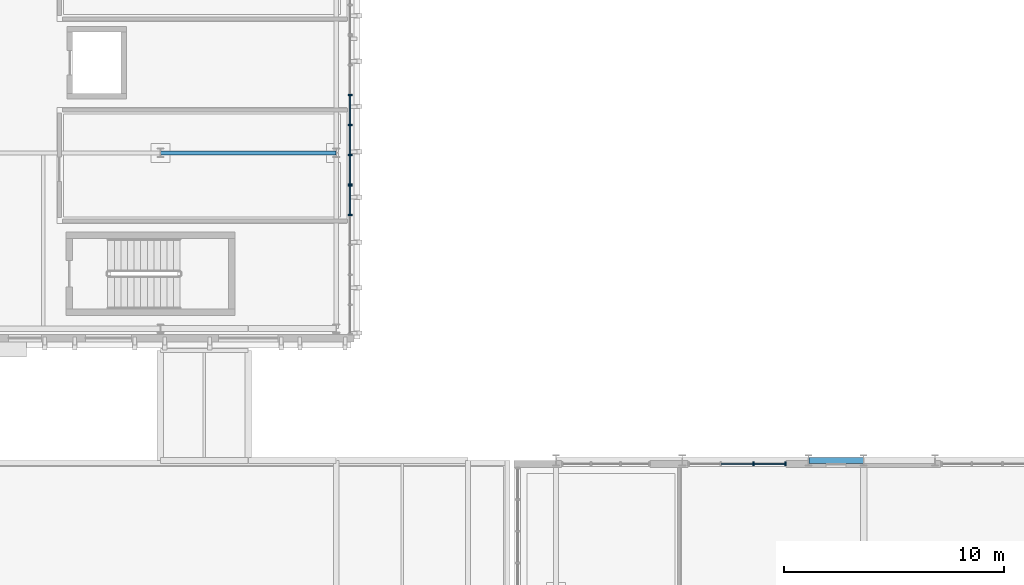
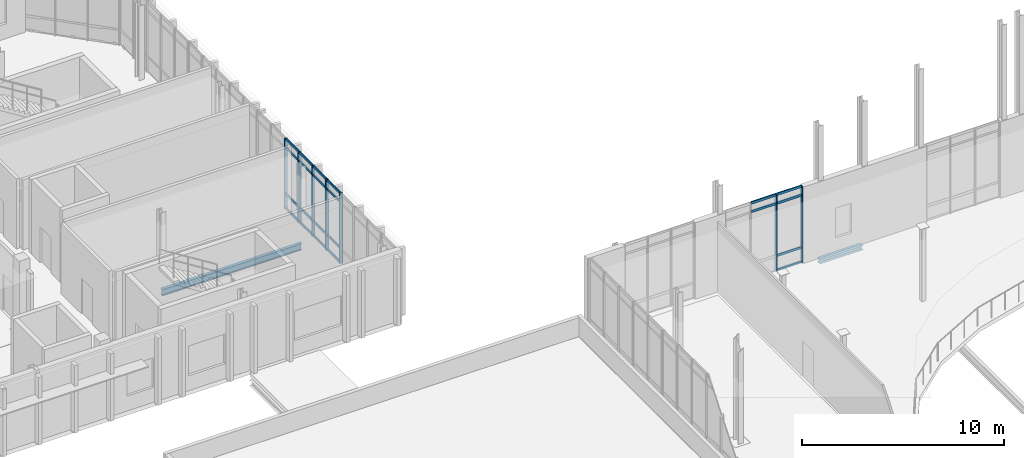
# One storey, part 20 of 86: 30 members, 2 beams, 3 elements without a shape of their own.
"""IFC4 building model written with IfcOpenShell, lengths in metres."""

from ifc_helpers import new_model, si_unit, direction, frame, origin, origin_2d, place, context, subcontext, project, spatial, rectangle, i_section, extrude, material, material_profile, profile_set, type_object, element, aggregate, save


model = new_model("IFC4")

# Units and contexts
model_context = context("Model", 3, precision=1e-05, world=origin(), true_north=direction((0.0, 1.0)))
body_context = subcontext(model_context, "Body", "Model", "MODEL_VIEW")
ifc_project = project(units=[si_unit("LENGTHUNIT", "METRE"), si_unit("AREAUNIT", "SQUARE_METRE"), si_unit("VOLUMEUNIT", "CUBIC_METRE"), si_unit("PLANEANGLEUNIT", "RADIAN"), si_unit("MASSUNIT", "GRAM", prefix="KILO")], contexts=[model_context])

# Site, building, storey
site_placement = place(None, origin())
site = spatial("IfcSite", under=ifc_project, at=site_placement, CompositionType="ELEMENT")
building_placement = place(site_placement, origin())
building = spatial("IfcBuilding", under=site, at=building_placement, Name="Cymarion Research Institute", CompositionType="ELEMENT")
storey_placement = place(building_placement, frame((0.0, 0.0, 13.800048828125)))
storey = spatial("IfcBuildingStorey", under=building, at=storey_placement, Name="L03", CompositionType="ELEMENT", Elevation=13.800048828125)

# Curtain wall, members
ifc_material_1 = material(Name="Anodised aluminium unitised curtain wall with Low-E glazing", Category="aluminium")
curtain_wall_type_1 = type_object("IfcCurtainWallType", Name="UNITISED CURTAIN WALL CW32 4460X4620", PredefinedType="NOTDEFINED", material=ifc_material_1)
curtain_wall_1_placement = place(storey_placement, origin())
curtain_wall_1 = element("IfcCurtainWall", 1, at=curtain_wall_1_placement, inside=storey, type_object=curtain_wall_type_1, Name="L03 V2 unitised curtain wall CW32 #145", PredefinedType="NOTDEFINED")
ifc_material_2 = material(Name="Anodised aluminium framing", Category="aluminium")
ifc_material_profile_1 = material_profile(ifc_material_2, rectangle(XDim=0.06005859375, YDim=0.179931640625, at=origin_2d()), Name="ALU MULLION 60x180")
ifc_profile_set_1 = profile_set([ifc_material_profile_1], Name="Anodised aluminium framing")
member_type_1 = type_object("IfcMemberType", Name="CURTAIN WALL MULLION ML01 60X180", PredefinedType="MULLION", material=ifc_profile_set_1)
member_1_placement = place(storey_placement, frame((67.04443359375, 41.340087890625, 0.0), z_axis=(0.0, 0.0, 1.0), x_axis=(-1.0, 0.0, 0.0)))
member_1 = element("IfcMember", 2, at=member_1_placement, type_object=member_type_1, Name="CW32 mullion 1", PredefinedType="MULLION", context=body_context, shape_type="SweptSolid", body=[
    extrude(rectangle(XDim=0.06005859375, YDim=0.179931640625, at=origin_2d()), origin(), (0.0, 0.0, 1.0), 4.619873046875),
])
member_2_placement = place(storey_placement, frame((65.58642578125, 41.340087890625, 0.0), z_axis=(0.0, 0.0, 1.0), x_axis=(-1.0, 0.0, 0.0)))
member_2 = element("IfcMember", 3, at=member_2_placement, type_object=member_type_1, Name="CW32 mullion 2", PredefinedType="MULLION", context=body_context, shape_type="SweptSolid", body=[
    extrude(rectangle(XDim=0.06005859375, YDim=0.179931640625, at=origin_2d()), origin(), (0.0, 0.0, 1.0), 4.619873046875),
])

curtain_wall_type_2 = type_object("IfcCurtainWallType", Name="UNITISED CURTAIN WALL CW20 6820X4250", PredefinedType="NOTDEFINED", material=ifc_material_1)
curtain_wall_2_placement = place(storey_placement, origin())
curtain_wall_2 = element("IfcCurtainWall", 4, at=curtain_wall_2_placement, inside=storey, type_object=curtain_wall_type_2, Name="L03 V4 unitised curtain wall CW20 #152", PredefinedType="NOTDEFINED")
member_3_placement = place(storey_placement, frame((47.22998046875, 52.677490234375, 0.0), z_axis=(0.0, 0.0, 1.0), x_axis=(0.0, 1.0, 0.0)))
member_3 = element("IfcMember", 5, at=member_3_placement, type_object=member_type_1, Name="CW20 mullion 5", PredefinedType="MULLION", context=body_context, shape_type="SweptSolid", body=[
    extrude(rectangle(XDim=0.06005859375, YDim=0.179931640625, at=origin_2d()), origin(), (0.0, 0.0, 1.0), 4.25),
])
member_4_placement = place(storey_placement, frame((47.22998046875, 54.011474609375, 0.0), z_axis=(0.0, 0.0, 1.0), x_axis=(0.0, 1.0, 0.0)))
member_4 = element("IfcMember", 6, at=member_4_placement, type_object=member_type_1, Name="CW20 mullion 6", PredefinedType="MULLION", context=body_context, shape_type="SweptSolid", body=[
    extrude(rectangle(XDim=0.06005859375, YDim=0.179931640625, at=origin_2d()), origin(), (0.0, 0.0, 1.0), 4.25),
])

curtain_wall_3_placement = place(storey_placement, origin())
curtain_wall_3 = element("IfcCurtainWall", 7, at=curtain_wall_3_placement, inside=storey, type_object=curtain_wall_type_2, Name="L03 V4 unitised curtain wall CW20 #153", PredefinedType="NOTDEFINED")
member_5_placement = place(storey_placement, frame((47.22998046875, 54.071533203125, 0.0), z_axis=(0.0, 0.0, 1.0), x_axis=(0.0, 1.0, 0.0)))
member_5 = element("IfcMember", 8, at=member_5_placement, type_object=member_type_1, Name="CW20 mullion 1", PredefinedType="MULLION", context=body_context, shape_type="SweptSolid", body=[
    extrude(rectangle(XDim=0.06005859375, YDim=0.179931640625, at=origin_2d()), origin(), (0.0, 0.0, 1.0), 4.25),
])
member_6_placement = place(storey_placement, frame((47.22998046875, 55.405517578125, 0.0), z_axis=(0.0, 0.0, 1.0), x_axis=(0.0, 1.0, 0.0)))
member_6 = element("IfcMember", 9, at=member_6_placement, type_object=member_type_1, Name="CW20 mullion 2", PredefinedType="MULLION", context=body_context, shape_type="SweptSolid", body=[
    extrude(rectangle(XDim=0.06005859375, YDim=0.179931640625, at=origin_2d()), origin(), (0.0, 0.0, 1.0), 4.25),
])
member_7_placement = place(storey_placement, frame((47.22998046875, 56.769287109375, 0.0), z_axis=(0.0, 0.0, 1.0), x_axis=(0.0, 1.0, 0.0)))
member_7 = element("IfcMember", 10, at=member_7_placement, type_object=member_type_1, Name="CW20 mullion 3", PredefinedType="MULLION", context=body_context, shape_type="SweptSolid", body=[
    extrude(rectangle(XDim=0.06005859375, YDim=0.179931640625, at=origin_2d()), origin(), (0.0, 0.0, 1.0), 4.25),
])
member_8_placement = place(storey_placement, frame((47.22998046875, 58.13330078125, 0.0), z_axis=(0.0, 0.0, 1.0), x_axis=(0.0, 1.0, 0.0)))
member_8 = element("IfcMember", 11, at=member_8_placement, type_object=member_type_1, Name="CW20 mullion 4", PredefinedType="MULLION", context=body_context, shape_type="SweptSolid", body=[
    extrude(rectangle(XDim=0.06005859375, YDim=0.179931640625, at=origin_2d()), origin(), (0.0, 0.0, 1.0), 4.25),
])

# Member
ifc_material_profile_2 = material_profile(ifc_material_2, rectangle(XDim=0.06005859375, YDim=0.14990234375, at=origin_2d()), Name="ALU TRANSOM 60x150")
ifc_profile_set_2 = profile_set([ifc_material_profile_2], Name="Anodised aluminium framing")
member_type_2 = type_object("IfcMemberType", Name="CURTAIN WALL TRANSOM TR01 60X150", PredefinedType="USERDEFINED", material=ifc_profile_set_2)
member_9_placement = place(storey_placement, frame((67.014404296875, 41.340087890625, 0.030029296875), z_axis=(-1.0, 0.0, 0.0), x_axis=(0.0, -1.0, 0.0)))
member_9 = element("IfcMember", 12, at=member_9_placement, type_object=member_type_2, Name="CW32 transom 1.1", ObjectType="TRANSOM", PredefinedType="USERDEFINED", context=body_context, shape_type="SweptSolid", body=[
    extrude(rectangle(XDim=0.06005859375, YDim=0.14990234375, at=origin_2d()), origin(), (0.0, 0.0, 1.0), 1.39794921875),
])

member_10_placement = place(storey_placement, frame((67.014404296875, 41.340087890625, 0.89990234375), z_axis=(-1.0, 0.0, 0.0), x_axis=(0.0, -1.0, 0.0)))
member_10 = element("IfcMember", 13, at=member_10_placement, type_object=member_type_2, Name="CW32 transom 1.2", ObjectType="TRANSOM", PredefinedType="USERDEFINED", context=body_context, shape_type="SweptSolid", body=[
    extrude(rectangle(XDim=0.06005859375, YDim=0.14990234375, at=origin_2d()), origin(), (0.0, 0.0, 1.0), 1.39794921875),
])

member_11_placement = place(storey_placement, frame((67.014404296875, 41.340087890625, 4.070068359375), z_axis=(-1.0, 0.0, 0.0), x_axis=(0.0, -1.0, 0.0)))
member_11 = element("IfcMember", 14, at=member_11_placement, type_object=member_type_2, Name="CW32 transom 1.3", ObjectType="TRANSOM", PredefinedType="USERDEFINED", context=body_context, shape_type="SweptSolid", body=[
    extrude(rectangle(XDim=0.06005859375, YDim=0.14990234375, at=origin_2d()), origin(), (0.0, 0.0, 1.0), 1.39794921875),
])

member_12_placement = place(storey_placement, frame((67.014404296875, 41.340087890625, 4.58984375), z_axis=(-1.0, 0.0, 0.0), x_axis=(0.0, -1.0, 0.0)))
member_12 = element("IfcMember", 15, at=member_12_placement, type_object=member_type_2, Name="CW32 transom 1.4", ObjectType="TRANSOM", PredefinedType="USERDEFINED", context=body_context, shape_type="SweptSolid", body=[
    extrude(rectangle(XDim=0.06005859375, YDim=0.14990234375, at=origin_2d()), origin(), (0.0, 0.0, 1.0), 1.39794921875),
])

member_13_placement = place(storey_placement, frame((65.556396484375, 41.340087890625, 4.070068359375), z_axis=(-1.0, 0.0, 0.0), x_axis=(0.0, -1.0, 0.0)))
member_13 = element("IfcMember", 16, at=member_13_placement, type_object=member_type_2, Name="CW32 transom 2.3", ObjectType="TRANSOM", PredefinedType="USERDEFINED", context=body_context, shape_type="SweptSolid", body=[
    extrude(rectangle(XDim=0.06005859375, YDim=0.14990234375, at=origin_2d()), origin(), (0.0, 0.0, 1.0), 1.42822265625),
])

member_14_placement = place(storey_placement, frame((65.556396484375, 41.340087890625, 4.58984375), z_axis=(-1.0, 0.0, 0.0), x_axis=(0.0, -1.0, 0.0)))
member_14 = element("IfcMember", 17, at=member_14_placement, type_object=member_type_2, Name="CW32 transom 2.4", ObjectType="TRANSOM", PredefinedType="USERDEFINED", context=body_context, shape_type="SweptSolid", body=[
    extrude(rectangle(XDim=0.06005859375, YDim=0.14990234375, at=origin_2d()), origin(), (0.0, 0.0, 1.0), 1.42822265625),
])

aggregate(curtain_wall_1, [member_1, member_2, member_9, member_10, member_11, member_12, member_13, member_14])

member_15_placement = place(storey_placement, frame((47.22998046875, 52.70751953125, 0.030029296875), z_axis=(0.0, 1.0, 0.0), x_axis=(-1.0, 0.0, 0.0)))
member_15 = element("IfcMember", 18, at=member_15_placement, type_object=member_type_2, Name="CW20 transom 5.1", ObjectType="TRANSOM", PredefinedType="USERDEFINED", context=body_context, shape_type="SweptSolid", body=[
    extrude(rectangle(XDim=0.06005859375, YDim=0.14990234375, at=origin_2d()), origin(), (0.0, 0.0, 1.0), 1.27392578125),
])

member_16_placement = place(storey_placement, frame((47.22998046875, 52.70751953125, 0.89990234375), z_axis=(0.0, 1.0, 0.0), x_axis=(-1.0, 0.0, 0.0)))
member_16 = element("IfcMember", 19, at=member_16_placement, type_object=member_type_2, Name="CW20 transom 5.2", ObjectType="TRANSOM", PredefinedType="USERDEFINED", context=body_context, shape_type="SweptSolid", body=[
    extrude(rectangle(XDim=0.06005859375, YDim=0.14990234375, at=origin_2d()), origin(), (0.0, 0.0, 1.0), 1.27392578125),
])

member_17_placement = place(storey_placement, frame((47.22998046875, 52.70751953125, 3.699951171875), z_axis=(0.0, 1.0, 0.0), x_axis=(-1.0, 0.0, 0.0)))
member_17 = element("IfcMember", 20, at=member_17_placement, type_object=member_type_2, Name="CW20 transom 5.3", ObjectType="TRANSOM", PredefinedType="USERDEFINED", context=body_context, shape_type="SweptSolid", body=[
    extrude(rectangle(XDim=0.06005859375, YDim=0.14990234375, at=origin_2d()), origin(), (0.0, 0.0, 1.0), 1.27392578125),
])

member_18_placement = place(storey_placement, frame((47.22998046875, 52.70751953125, 4.219970703125), z_axis=(0.0, 1.0, 0.0), x_axis=(-1.0, 0.0, 0.0)))
member_18 = element("IfcMember", 21, at=member_18_placement, type_object=member_type_2, Name="CW20 transom 5.4", ObjectType="TRANSOM", PredefinedType="USERDEFINED", context=body_context, shape_type="SweptSolid", body=[
    extrude(rectangle(XDim=0.06005859375, YDim=0.14990234375, at=origin_2d()), origin(), (0.0, 0.0, 1.0), 1.27392578125),
])

aggregate(curtain_wall_2, [member_3, member_4, member_15, member_16, member_17, member_18])

member_19_placement = place(storey_placement, frame((47.22998046875, 54.1015625, 0.030029296875), z_axis=(0.0, 1.0, 0.0), x_axis=(-1.0, 0.0, 0.0)))
member_19 = element("IfcMember", 22, at=member_19_placement, type_object=member_type_2, Name="CW20 transom 1.1", ObjectType="TRANSOM", PredefinedType="USERDEFINED", context=body_context, shape_type="SweptSolid", body=[
    extrude(rectangle(XDim=0.06005859375, YDim=0.14990234375, at=origin_2d()), origin(), (0.0, 0.0, 1.0), 1.27392578125),
])

member_20_placement = place(storey_placement, frame((47.22998046875, 54.1015625, 0.89990234375), z_axis=(0.0, 1.0, 0.0), x_axis=(-1.0, 0.0, 0.0)))
member_20 = element("IfcMember", 23, at=member_20_placement, type_object=member_type_2, Name="CW20 transom 1.2", ObjectType="TRANSOM", PredefinedType="USERDEFINED", context=body_context, shape_type="SweptSolid", body=[
    extrude(rectangle(XDim=0.06005859375, YDim=0.14990234375, at=origin_2d()), origin(), (0.0, 0.0, 1.0), 1.27392578125),
])

member_21_placement = place(storey_placement, frame((47.22998046875, 54.1015625, 3.699951171875), z_axis=(0.0, 1.0, 0.0), x_axis=(-1.0, 0.0, 0.0)))
member_21 = element("IfcMember", 24, at=member_21_placement, type_object=member_type_2, Name="CW20 transom 1.3", ObjectType="TRANSOM", PredefinedType="USERDEFINED", context=body_context, shape_type="SweptSolid", body=[
    extrude(rectangle(XDim=0.06005859375, YDim=0.14990234375, at=origin_2d()), origin(), (0.0, 0.0, 1.0), 1.27392578125),
])

member_22_placement = place(storey_placement, frame((47.22998046875, 54.1015625, 4.219970703125), z_axis=(0.0, 1.0, 0.0), x_axis=(-1.0, 0.0, 0.0)))
member_22 = element("IfcMember", 25, at=member_22_placement, type_object=member_type_2, Name="CW20 transom 1.4", ObjectType="TRANSOM", PredefinedType="USERDEFINED", context=body_context, shape_type="SweptSolid", body=[
    extrude(rectangle(XDim=0.06005859375, YDim=0.14990234375, at=origin_2d()), origin(), (0.0, 0.0, 1.0), 1.27392578125),
])

member_23_placement = place(storey_placement, frame((47.22998046875, 55.435302734375, 0.030029296875), z_axis=(0.0, 1.0, 0.0), x_axis=(-1.0, 0.0, 0.0)))
member_23 = element("IfcMember", 26, at=member_23_placement, type_object=member_type_2, Name="CW20 transom 2.1", ObjectType="TRANSOM", PredefinedType="USERDEFINED", context=body_context, shape_type="SweptSolid", body=[
    extrude(rectangle(XDim=0.06005859375, YDim=0.14990234375, at=origin_2d()), origin(), (0.0, 0.0, 1.0), 1.303955078125),
])

member_24_placement = place(storey_placement, frame((47.22998046875, 55.435302734375, 0.89990234375), z_axis=(0.0, 1.0, 0.0), x_axis=(-1.0, 0.0, 0.0)))
member_24 = element("IfcMember", 27, at=member_24_placement, type_object=member_type_2, Name="CW20 transom 2.2", ObjectType="TRANSOM", PredefinedType="USERDEFINED", context=body_context, shape_type="SweptSolid", body=[
    extrude(rectangle(XDim=0.06005859375, YDim=0.14990234375, at=origin_2d()), origin(), (0.0, 0.0, 1.0), 1.303955078125),
])

member_25_placement = place(storey_placement, frame((47.22998046875, 55.435302734375, 3.699951171875), z_axis=(0.0, 1.0, 0.0), x_axis=(-1.0, 0.0, 0.0)))
member_25 = element("IfcMember", 28, at=member_25_placement, type_object=member_type_2, Name="CW20 transom 2.3", ObjectType="TRANSOM", PredefinedType="USERDEFINED", context=body_context, shape_type="SweptSolid", body=[
    extrude(rectangle(XDim=0.06005859375, YDim=0.14990234375, at=origin_2d()), origin(), (0.0, 0.0, 1.0), 1.303955078125),
])

member_26_placement = place(storey_placement, frame((47.22998046875, 55.435302734375, 4.219970703125), z_axis=(0.0, 1.0, 0.0), x_axis=(-1.0, 0.0, 0.0)))
member_26 = element("IfcMember", 29, at=member_26_placement, type_object=member_type_2, Name="CW20 transom 2.4", ObjectType="TRANSOM", PredefinedType="USERDEFINED", context=body_context, shape_type="SweptSolid", body=[
    extrude(rectangle(XDim=0.06005859375, YDim=0.14990234375, at=origin_2d()), origin(), (0.0, 0.0, 1.0), 1.303955078125),
])

member_27_placement = place(storey_placement, frame((47.22998046875, 56.79931640625, 0.030029296875), z_axis=(0.0, 1.0, 0.0), x_axis=(-1.0, 0.0, 0.0)))
member_27 = element("IfcMember", 30, at=member_27_placement, type_object=member_type_2, Name="CW20 transom 3.1", ObjectType="TRANSOM", PredefinedType="USERDEFINED", context=body_context, shape_type="SweptSolid", body=[
    extrude(rectangle(XDim=0.06005859375, YDim=0.14990234375, at=origin_2d()), origin(), (0.0, 0.0, 1.0), 1.303955078125),
])

member_28_placement = place(storey_placement, frame((47.22998046875, 56.79931640625, 0.89990234375), z_axis=(0.0, 1.0, 0.0), x_axis=(-1.0, 0.0, 0.0)))
member_28 = element("IfcMember", 31, at=member_28_placement, type_object=member_type_2, Name="CW20 transom 3.2", ObjectType="TRANSOM", PredefinedType="USERDEFINED", context=body_context, shape_type="SweptSolid", body=[
    extrude(rectangle(XDim=0.06005859375, YDim=0.14990234375, at=origin_2d()), origin(), (0.0, 0.0, 1.0), 1.303955078125),
])

member_29_placement = place(storey_placement, frame((47.22998046875, 56.79931640625, 3.699951171875), z_axis=(0.0, 1.0, 0.0), x_axis=(-1.0, 0.0, 0.0)))
member_29 = element("IfcMember", 32, at=member_29_placement, type_object=member_type_2, Name="CW20 transom 3.3", ObjectType="TRANSOM", PredefinedType="USERDEFINED", context=body_context, shape_type="SweptSolid", body=[
    extrude(rectangle(XDim=0.06005859375, YDim=0.14990234375, at=origin_2d()), origin(), (0.0, 0.0, 1.0), 1.303955078125),
])

member_30_placement = place(storey_placement, frame((47.22998046875, 56.79931640625, 4.219970703125), z_axis=(0.0, 1.0, 0.0), x_axis=(-1.0, 0.0, 0.0)))
member_30 = element("IfcMember", 33, at=member_30_placement, type_object=member_type_2, Name="CW20 transom 3.4", ObjectType="TRANSOM", PredefinedType="USERDEFINED", context=body_context, shape_type="SweptSolid", body=[
    extrude(rectangle(XDim=0.06005859375, YDim=0.14990234375, at=origin_2d()), origin(), (0.0, 0.0, 1.0), 1.303955078125),
])

aggregate(curtain_wall_3, [member_5, member_6, member_7, member_8, member_19, member_20, member_21, member_22, member_23, member_24, member_25, member_26, member_27, member_28, member_29, member_30])

# Beams
ifc_material_3 = material(Name="Steel S355", Category="steel")
ifc_material_profile_3 = material_profile(ifc_material_3, i_section(OverallWidth=0.179931640625, OverallDepth=0.39990234375, WebThickness=0.008544921875, FlangeThickness=0.013427734375, FilletRadius=0.02099609375, at=origin_2d()), Name="IPE 400")
ifc_profile_set_3 = profile_set([ifc_material_profile_3], Name="Steel S355")
beam_type_1 = type_object("IfcBeamType", Name="PRIMARY GIRDER BM05 IPE 400", PredefinedType="BEAM", material=ifc_profile_set_3)
beam_1_placement = place(storey_placement, frame((38.60595703125, 55.5, -0.449951171875), z_axis=(1.0, 0.0, 0.0), x_axis=(0.0, 1.0, 0.0)))
element("IfcBeam", 34, at=beam_1_placement, inside=storey, type_object=beam_type_1, Name="L03 V4 girder BM05 #1462", PredefinedType="BEAM", context=body_context, shape_type="SweptSolid", body=[
    extrude(i_section(OverallWidth=0.179931640625, OverallDepth=0.39990234375, WebThickness=0.008544921875, FlangeThickness=0.013427734375, FilletRadius=0.02099609375, at=origin_2d()), origin(), (0.0, 0.0, 1.0), 7.988037109375),
])
ifc_material_profile_4 = material_profile(ifc_material_3, i_section(OverallWidth=0.280029296875, OverallDepth=0.27001953125, WebThickness=0.008056640625, FlangeThickness=0.012939453125, FilletRadius=0.02392578125, at=origin_2d()), Name="HEA 280")
ifc_profile_set_4 = profile_set([ifc_material_profile_4], Name="Steel S355")
beam_type_2 = type_object("IfcBeamType", Name="SPANDREL BEAM SPB02 HEA 280", PredefinedType="SPANDREL", material=ifc_profile_set_4)
beam_2_placement = place(storey_placement, frame((68.10595703125, 41.5, -0.385009765625), z_axis=(1.0, 0.0, 0.0), x_axis=(0.0, 1.0, 0.0)))
element("IfcBeam", 35, at=beam_2_placement, inside=storey, type_object=beam_type_2, Name="L03 V2 girder SPB02 #1304", PredefinedType="SPANDREL", context=body_context, shape_type="SweptSolid", body=[
    extrude(i_section(OverallWidth=0.280029296875, OverallDepth=0.27001953125, WebThickness=0.008056640625, FlangeThickness=0.012939453125, FilletRadius=0.02392578125, at=origin_2d()), origin(), (0.0, 0.0, 1.0), 2.488037109375),
])

save(model, "model.ifc")
